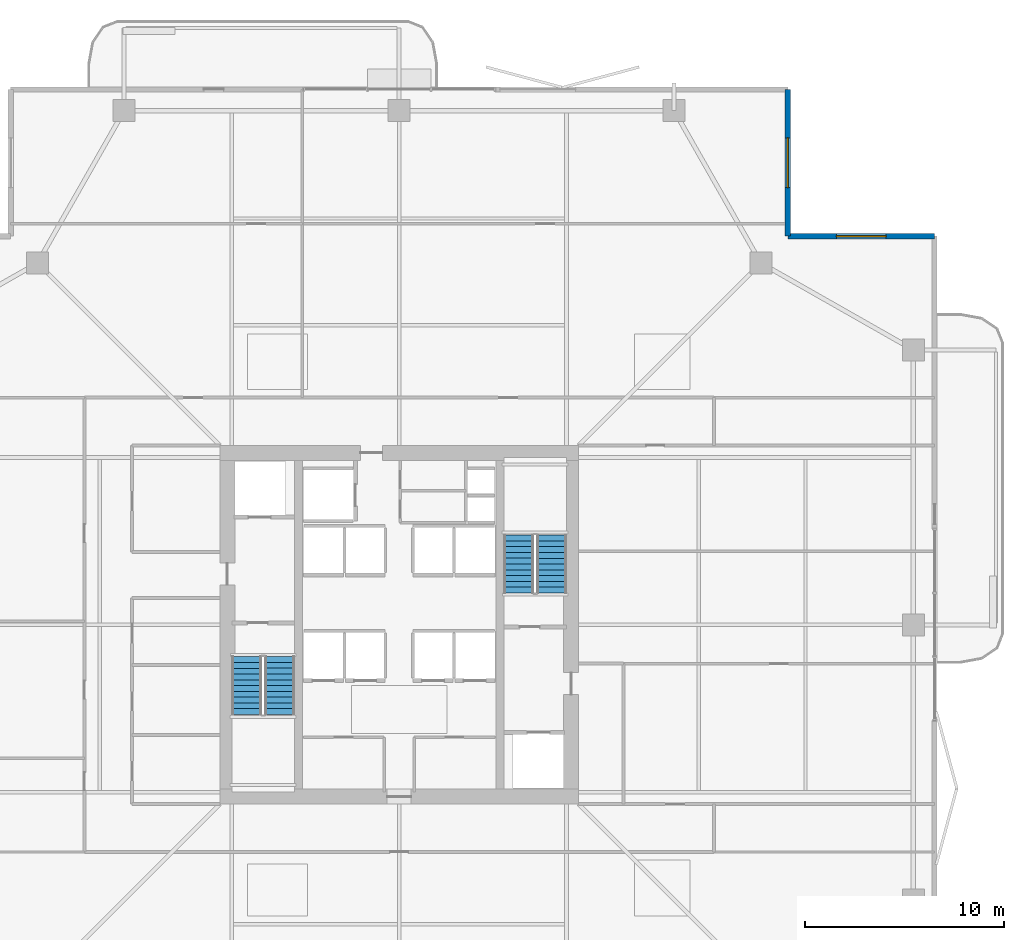
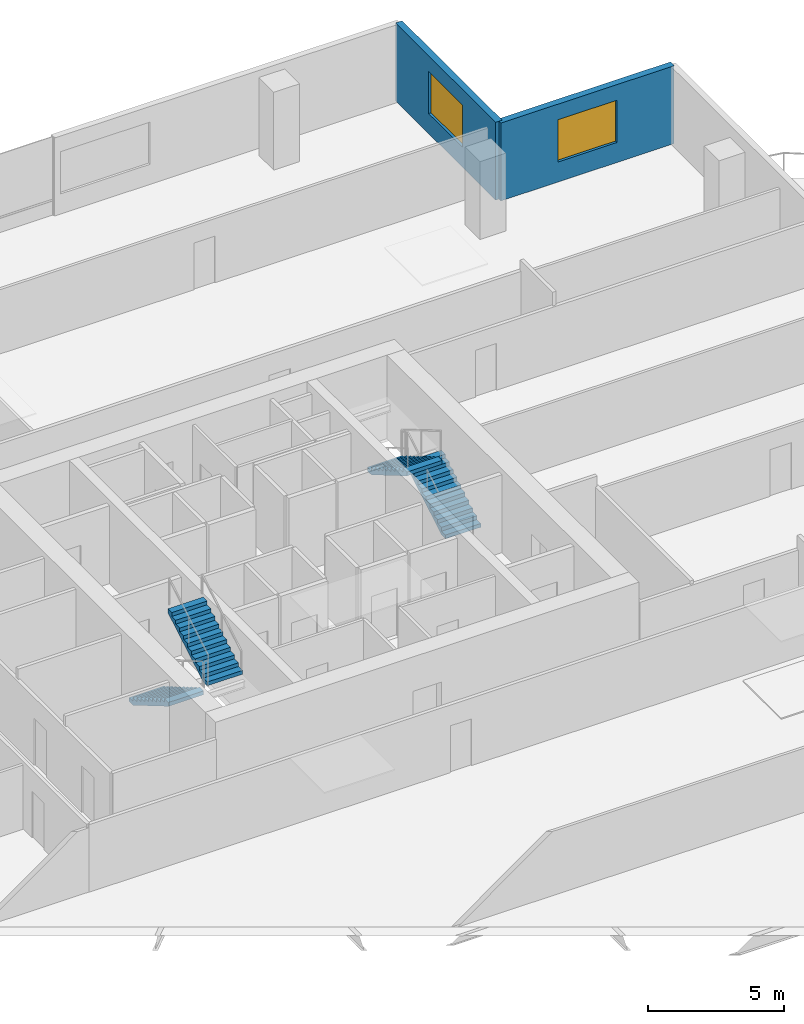
# One storey, part 20 of 24: 4 stair flights, 2 walls, 2 windows, 2 openings, 2 elements without a shape of their own.
"""IFC4 building model written with IfcOpenShell, lengths in metres."""

import ifcopenshell
import ifcopenshell.guid

model = None  # the IFC model being written
_history = None  # IfcOwnerHistory: only IFC2X3 demands one
_inside = {}  # id of a spatial element -> (the spatial element, [elements in it])
_under = {}  # id of a project, library or spatial element -> (it, [spatial elements below it])
_declared = {}  # id of a project -> (the project, [libraries it declares])
_typed = {}  # id of a type object -> (the type object, [elements of that type])
_made_of = {}  # id of a material, layer set ... -> (it, [elements and type objects made of it])


def new_model(schema):
    """Start an empty IFC model of exactly this schema.

    Asked for "IFC4X3", IfcOpenShell would pick the latest addendum, in which some entities
    have other attributes; the version numbers below select the first issue.
    IFC2X3 requires an IfcOwnerHistory on every rooted entity: one is made here for all.
    """
    global model, _history
    if schema == "IFC4X3":
        model = ifcopenshell.file(schema_version=(4, 3, 0, 0))
    else:
        model = ifcopenshell.file(schema=schema)
    _inside.clear()
    _under.clear()
    _declared.clear()
    _typed.clear()
    _made_of.clear()
    _history = None
    if model.schema == "IFC2X3":
        org = make("IfcOrganization", Name="unknown")
        user = make(
            "IfcPersonAndOrganization",
            ThePerson=make("IfcPerson", FamilyName="unknown"),
            TheOrganization=org,
        )
        app = make(
            "IfcApplication",
            ApplicationDeveloper=org,
            Version="unknown",
            ApplicationFullName="unknown",
            ApplicationIdentifier="unknown",
        )
        _history = make(
            "IfcOwnerHistory",
            OwningUser=user,
            OwningApplication=app,
            ChangeAction="ADDED",
            CreationDate=0,
        )
    return model


def make(cls, **values):
    """One entity of the class cls with the attributes given. An attribute that is None is left unset."""
    return model.create_entity(
        cls, **{name: value for name, value in values.items() if value is not None}
    )


def rooted(cls, **values):
    """An entity with a GlobalId (a new one), such as an element, a storey or a relation."""
    return make(cls, GlobalId=ifcopenshell.guid.new(), OwnerHistory=_history, **values)


def si_unit(unit_type, name, prefix=None):
    """IfcSIUnit, for example si_unit("LENGTHUNIT", "METRE", prefix="MILLI")."""
    return make("IfcSIUnit", UnitType=unit_type, Prefix=prefix, Name=name)


def assignment(units):
    """IfcUnitAssignment: the units of a project."""
    return None if units is None else make("IfcUnitAssignment", Units=units)


def point(xyz):
    """IfcCartesianPoint."""
    return None if xyz is None else make("IfcCartesianPoint", Coordinates=xyz)


def direction(xyz):
    """IfcDirection."""
    return None if xyz is None else make("IfcDirection", DirectionRatios=xyz)


def frame(location, z_axis=None, x_axis=None):
    """IfcAxis2Placement3D, a coordinate frame: its origin and axes. An axis left out is left unset."""
    return make(
        "IfcAxis2Placement3D",
        Location=point(location),
        Axis=direction(z_axis),
        RefDirection=direction(x_axis),
    )


def frame_2d(location, x_axis=None):
    """IfcAxis2Placement2D, a coordinate frame in the plane: its origin and x axis."""
    return make(
        "IfcAxis2Placement2D", Location=point(location), RefDirection=direction(x_axis)
    )


def origin():
    """The frame at (0, 0, 0) with its axes left unset."""
    return frame((0.0, 0.0, 0.0))


def place(relative_to, where):
    """IfcLocalPlacement: puts the frame where relative to a parent placement (None: the world)."""
    return make(
        "IfcLocalPlacement", PlacementRelTo=relative_to, RelativePlacement=where
    )


def context(
    kind, dimensions, precision=None, world=None, true_north=None, identifier=None
):
    """IfcGeometricRepresentationContext, for example the 3D "Model" context."""
    return make(
        "IfcGeometricRepresentationContext",
        ContextIdentifier=identifier,
        ContextType=kind,
        CoordinateSpaceDimension=dimensions,
        Precision=precision,
        WorldCoordinateSystem=world,
        TrueNorth=true_north,
    )


def subcontext(parent, identifier, kind, view, scale=None):
    """IfcGeometricRepresentationSubContext, for example "Body" below "Model"."""
    return make(
        "IfcGeometricRepresentationSubContext",
        ContextIdentifier=identifier,
        ContextType=kind,
        ParentContext=parent,
        TargetScale=scale,
        TargetView=view,
    )


def project(units=None, contexts=None):
    """IfcProject with its units and contexts."""
    return rooted(
        "IfcProject",
        Name="project",
        RepresentationContexts=contexts,
        UnitsInContext=assignment(units),
    )


def spatial(cls, under=None, at=None, **own):
    """A site, building, storey or space (cls), placed at a placement, below another one or the project."""
    s = rooted(cls, ObjectPlacement=at, **own)
    if under is not None:
        _under.setdefault(under.id(), (under, []))[1].append(s)
    return s


def polyline(points):
    """IfcPolyline through the points."""
    return make("IfcPolyline", Points=[point(p) for p in points])


def profile(cls, at=None, kind="AREA", **sizes):
    """A parametric profile (cls). Its sizes go by their IFC names, for example OverallWidth=200.0."""
    return make(cls, ProfileType=kind, Position=at, **sizes)


def rectangle(**sizes):
    """IfcRectangleProfileDef."""
    return profile("IfcRectangleProfileDef", **sizes)


def outline(outer, holes=None, kind="AREA"):
    """IfcArbitraryClosedProfileDef: a profile drawn as a closed curve; with holes, ...WithVoids."""
    if holes is None:
        return make("IfcArbitraryClosedProfileDef", ProfileType=kind, OuterCurve=outer)
    return make(
        "IfcArbitraryProfileDefWithVoids",
        ProfileType=kind,
        OuterCurve=outer,
        InnerCurves=holes,
    )


def extrude(swept, where, along, depth):
    """IfcExtrudedAreaSolid: the profile swept, set in the frame where, extruded along a direction by depth."""
    return make(
        "IfcExtrudedAreaSolid",
        SweptArea=swept,
        Position=where,
        ExtrudedDirection=direction(along),
        Depth=depth,
    )


def shape(context_of_items, identifier, shape_type, items):
    """IfcShapeRepresentation: the items that make up one representation, for example the "Body"."""
    return make(
        "IfcShapeRepresentation",
        ContextOfItems=context_of_items,
        RepresentationIdentifier=identifier,
        RepresentationType=shape_type,
        Items=items,
    )


def material(Name=None, Category=None):
    """IfcMaterial."""
    return make("IfcMaterial", Name=Name, Category=Category)


def layer(
    of_material, thickness, ventilated=None, Name=None, Category=None, Priority=None
):
    """IfcMaterialLayer: one layer of a wall or slab, of a material (None: an air gap)."""
    return make(
        "IfcMaterialLayer",
        Material=of_material,
        LayerThickness=thickness,
        IsVentilated=ventilated,
        Name=Name,
        Category=Category,
        Priority=Priority,
    )


def layer_set(layers, Name=None):
    """IfcMaterialLayerSet."""
    return make("IfcMaterialLayerSet", MaterialLayers=layers, LayerSetName=Name)


def made_of(thing, what):
    """Note that an element or type object is made of a material, layer set ...; save() writes the relation."""
    if what is not None:
        _made_of.setdefault(what.id(), (what, []))[1].append(thing)
    return thing


def type_object(cls, material=None, **own):
    """A type object (cls), such as IfcWallType, which elements share."""
    return made_of(rooted(cls, **own), material)


def element(
    cls,
    number,
    at=None,
    inside=None,
    cuts=None,
    type_object=None,
    material=None,
    context=None,
    identifier="Body",
    shape_type=None,
    held_by="IfcProductDefinitionShape",
    body=None,
    shapes=None,
    **own,
):
    """One element of the class cls, such as IfcWall. Its Tag is "e" and its number.

    at: its placement. inside: the storey or other place that contains it. cuts: it is an
    opening in that element (IfcRelVoidsElement). A single representation is given by context,
    identifier, shape_type and body (its items); several are given by shapes. held_by: the class
    of the entity that holds the representations. save() writes the other relations.
    """
    e = rooted(cls, Tag="e%d" % number, ObjectPlacement=at, **own)
    if body is not None:
        shapes = [shape(context, identifier, shape_type, body)]
    if shapes is not None:
        e.Representation = make(held_by, Representations=shapes)
    if inside is not None:
        _inside.setdefault(inside.id(), (inside, []))[1].append(e)
    if cuts is not None:
        rooted(
            "IfcRelVoidsElement", RelatingBuildingElement=cuts, RelatedOpeningElement=e
        )
    if type_object is not None:
        _typed.setdefault(type_object.id(), (type_object, []))[1].append(e)
    return made_of(e, material)


def fill(opening, filler):
    """IfcRelFillsElement: the door or window that sits in an opening."""
    return rooted(
        "IfcRelFillsElement",
        RelatingOpeningElement=opening,
        RelatedBuildingElement=filler,
    )


def aggregate(whole, parts):
    """IfcRelAggregates: a whole, such as a stair, and the parts it consists of."""
    return rooted("IfcRelAggregates", RelatingObject=whole, RelatedObjects=parts)


def save(model, path):
    """Write the relations noted so far, then the file.

    IfcRelAggregates (storeys below a building ...), IfcRelContainedInSpatialStructure (elements
    in a storey), IfcRelDefinesByType, IfcRelAssociatesMaterial and IfcRelDeclares: one each for
    every whole, place, type object, material and project.
    """
    for whole, parts in _under.values():
        aggregate(whole, parts)
    for where, things in _inside.values():
        rooted(
            "IfcRelContainedInSpatialStructure",
            RelatedElements=things,
            RelatingStructure=where,
        )
    for kind, things in _typed.values():
        rooted("IfcRelDefinesByType", RelatedObjects=things, RelatingType=kind)
    for what, things in _made_of.values():
        rooted("IfcRelAssociatesMaterial", RelatedObjects=things, RelatingMaterial=what)
    for by, libraries in _declared.values():
        rooted("IfcRelDeclares", RelatingContext=by, RelatedDefinitions=libraries)
    model.write(path)


model = new_model("IFC4")

# Units and contexts
model_context = context("Model", 3, precision=1e-05, world=origin(), true_north=direction((0.0, 1.0)))
body_context = subcontext(model_context, "Body", "Model", "MODEL_VIEW")
ifc_project = project(units=[si_unit("LENGTHUNIT", "METRE"), si_unit("AREAUNIT", "SQUARE_METRE"), si_unit("VOLUMEUNIT", "CUBIC_METRE"), si_unit("PLANEANGLEUNIT", "RADIAN"), si_unit("MASSUNIT", "GRAM", prefix="KILO")], contexts=[model_context])

# Site, building, storey
site_placement = place(None, origin())
site = spatial("IfcSite", under=ifc_project, at=site_placement, CompositionType="ELEMENT")
building_placement = place(site_placement, origin())
building = spatial("IfcBuilding", under=site, at=building_placement, Name="Belovzor Exchange Tower", CompositionType="ELEMENT")
storey_placement = place(building_placement, frame((0.0, 0.0, 222.449951171875)))
storey = spatial("IfcBuildingStorey", under=building, at=storey_placement, Name="L55", CompositionType="ELEMENT", Elevation=222.449951171875)

# Wall, opening, window
ifc_material_1 = material(Name="Precast concrete C40/50", Category="concrete")
ifc_layer = layer(ifc_material_1, 0.280029296875)
ifc_layer_set = layer_set([ifc_layer], Name="Precast concrete C40/50")
wall_type = type_object("IfcWallType", Name="Precast Concrete Notched Corner Frame Wall 280", PredefinedType="SOLIDWALL", material=ifc_layer_set)
wall_1_placement = place(storey_placement, frame((48.300048828125, 55.669921875, 0.0), z_axis=(0.0, 0.0, 1.0), x_axis=(0.0, -1.0, 0.0)))
wall_1 = element("IfcWall", 1, at=wall_1_placement, inside=storey, type_object=wall_type, Name="W-CRN280 Precast Concrete Notched Corner Frame Wall 280 L55", PredefinedType="SOLIDWALL", context=body_context, shape_type="SweptSolid", body=[
    extrude(rectangle(XDim=7.369873046875, YDim=0.280029296875, at=frame_2d((3.68505859375, 0.0))), origin(), (0.0, 0.0, 1.0), 3.5),
])
opening_1_placement = place(wall_1_placement, frame((2.43505859375, 0.0, 0.89990234375)))
opening_1 = element("IfcOpeningElement", 2, at=opening_1_placement, cuts=wall_1, Name="Opening WN-CRN250", PredefinedType="OPENING", context=body_context, shape_type="SweptSolid", body=[
    extrude(rectangle(XDim=2.5, YDim=1.89990234375, at=frame_2d((1.25, 0.949951171875))), frame((0.0, 0.14990234375, 0.0), z_axis=(0.0, -1.0, 0.0), x_axis=(1.0, 0.0, 0.0)), (0.0, 0.0, 1.0), 0.300048828125),
])
ifc_material_2 = material(Name="Thermally Broken Aluminium and Triple Glazing", Category="aluminium")
window_type = type_object("IfcWindowType", Name="Streamline Moderne Corner Wrap Ribbon Window 2500x1900", PartitioningType="SINGLE_PANEL", PredefinedType="WINDOW", material=ifc_material_2)
window_1_placement = place(opening_1_placement, origin())
window_1 = element("IfcWindow", 3, at=window_1_placement, inside=storey, type_object=window_type, Name="WN-CRN250 Streamline Moderne Corner Wrap Ribbon Window 2500x1900", OverallHeight=1.89990234375, OverallWidth=2.5, PartitioningType="SINGLE_PANEL", PredefinedType="WINDOW", context=body_context, shape_type="SweptSolid", body=[
    extrude(rectangle(XDim=2.5, YDim=1.89990234375, at=frame_2d((1.25, 0.949951171875))), frame((0.0, 0.030029296875, 0.0), z_axis=(0.0, -1.0, 0.0), x_axis=(1.0, 0.0, 0.0)), (0.0, 0.0, 1.0), 0.06005859375),
])
fill(opening_1, window_1)

wall_2_placement = place(storey_placement, frame((48.300048828125, 48.300048828125, 0.0), z_axis=(0.0, 0.0, 1.0), x_axis=(1.0, 0.0, 0.0)))
wall_2 = element("IfcWall", 4, at=wall_2_placement, inside=storey, type_object=wall_type, Name="W-CRN280 Precast Concrete Notched Corner Frame Wall 280 L55", PredefinedType="SOLIDWALL", context=body_context, shape_type="SweptSolid", body=[
    extrude(rectangle(XDim=7.369873046875, YDim=0.280029296875, at=frame_2d((3.68505859375, 0.0))), origin(), (0.0, 0.0, 1.0), 3.5),
])
opening_2_placement = place(wall_2_placement, frame((2.43505859375, 0.0, 0.89990234375)))
opening_2 = element("IfcOpeningElement", 5, at=opening_2_placement, cuts=wall_2, Name="Opening WN-CRN250", PredefinedType="OPENING", context=body_context, shape_type="SweptSolid", body=[
    extrude(rectangle(XDim=2.5, YDim=1.89990234375, at=frame_2d((1.25, 0.949951171875))), frame((0.0, 0.14990234375, 0.0), z_axis=(0.0, -1.0, 0.0), x_axis=(1.0, 0.0, 0.0)), (0.0, 0.0, 1.0), 0.300048828125),
])
window_2_placement = place(opening_2_placement, origin())
window_2 = element("IfcWindow", 6, at=window_2_placement, inside=storey, type_object=window_type, Name="WN-CRN250 Streamline Moderne Corner Wrap Ribbon Window 2500x1900", OverallHeight=1.89990234375, OverallWidth=2.5, PartitioningType="SINGLE_PANEL", PredefinedType="WINDOW", context=body_context, shape_type="SweptSolid", body=[
    extrude(rectangle(XDim=2.5, YDim=1.89990234375, at=frame_2d((1.25, 0.949951171875))), frame((0.0, 0.030029296875, 0.0), z_axis=(0.0, -1.0, 0.0), x_axis=(1.0, 0.0, 0.0)), (0.0, 0.0, 1.0), 0.06005859375),
])
fill(opening_2, window_2)

# Stair, stair flights
ifc_material_3 = material(Name="Concrete C40/50", Category="concrete")
stair_type = type_object("IfcStairType", Name="Reinforced Concrete Dogleg Escape Stair 1350", PredefinedType="HALF_TURN_STAIR", material=ifc_material_3)
stair_1_placement = place(storey_placement, origin())
stair_1 = element("IfcStair", 7, at=stair_1_placement, inside=storey, type_object=stair_type, Name="L55 ST-1", PredefinedType="HALF_TURN_STAIR")
ifc_material_4 = material(Name="Concrete C40/50", Category="concrete")
stair_flight_type = type_object("IfcStairFlightType", Name="Reinforced Concrete Stair Flight 1350", PredefinedType="STRAIGHT", material=ifc_material_4)
stair_flight_1_placement = place(storey_placement, frame((21.14990234375, 27.199951171875, 0.0), z_axis=(0.0, 0.0, 1.0), x_axis=(0.0, -1.0, 0.0)))
stair_flight_1 = element("IfcStairFlight", 8, at=stair_flight_1_placement, type_object=stair_flight_type, Name="ST-1 flight 1", NumberOfRisers=11, NumberOfTreads=10, PredefinedType="STRAIGHT", RiserHeight=0.170454545, TreadLength=0.29, context=body_context, shape_type="SweptSolid", body=[
    extrude(outline(polyline([(0.0, 0.0), (0.0, 0.17041015625), (0.2900390625, 0.17041015625), (0.2900390625, 0.3408203125), (0.580078125, 0.3408203125), (0.580078125, 0.511474609375), (0.8701171875, 0.511474609375), (0.8701171875, 0.681884765625), (1.159912109375, 0.681884765625), (1.159912109375, 0.852294921875), (1.449951171875, 0.852294921875), (1.449951171875, 1.022705078125), (1.739990234375, 1.022705078125), (1.739990234375, 1.193115234375), (2.030029296875, 1.193115234375), (2.030029296875, 1.363525390625), (2.320068359375, 1.363525390625), (2.320068359375, 1.5341796875), (2.610107421875, 1.5341796875), (2.610107421875, 1.70458984375), (2.89990234375, 1.70458984375), (2.89990234375, 1.875), (2.89990234375, 1.53076171875), (0.2958984375, 0.0), (0.0, 0.0)])), frame((0.0, 0.75, 0.0), z_axis=(0.0, -1.0, 0.0), x_axis=(1.0, 0.0, 0.0)), (0.0, 0.0, 1.0), 1.5),
])
stair_flight_2_placement = place(storey_placement, frame((22.800048828125, 24.300048828125, 1.875), z_axis=(0.0, 0.0, 1.0), x_axis=(0.0, 1.0, 0.0)))
stair_flight_2 = element("IfcStairFlight", 9, at=stair_flight_2_placement, type_object=stair_flight_type, Name="ST-1 flight 2", NumberOfRisers=11, NumberOfTreads=10, PredefinedType="STRAIGHT", RiserHeight=0.170454545, TreadLength=0.29, context=body_context, shape_type="SweptSolid", body=[
    extrude(outline(polyline([(0.0, 0.0), (0.0, 0.17041015625), (0.2900390625, 0.17041015625), (0.2900390625, 0.3408203125), (0.580078125, 0.3408203125), (0.580078125, 0.511474609375), (0.8701171875, 0.511474609375), (0.8701171875, 0.681884765625), (1.159912109375, 0.681884765625), (1.159912109375, 0.852294921875), (1.449951171875, 0.852294921875), (1.449951171875, 1.022705078125), (1.739990234375, 1.022705078125), (1.739990234375, 1.193115234375), (2.030029296875, 1.193115234375), (2.030029296875, 1.363525390625), (2.320068359375, 1.363525390625), (2.320068359375, 1.5341796875), (2.610107421875, 1.5341796875), (2.610107421875, 1.70458984375), (2.89990234375, 1.70458984375), (2.89990234375, 1.875), (2.89990234375, 1.53076171875), (0.2958984375, 0.0), (0.0, 0.0)])), frame((0.0, 0.75, 0.0), z_axis=(0.0, -1.0, 0.0), x_axis=(1.0, 0.0, 0.0)), (0.0, 0.0, 1.0), 1.5),
])
aggregate(stair_1, [stair_flight_1, stair_flight_2])

stair_2_placement = place(storey_placement, origin())
stair_2 = element("IfcStair", 10, at=stair_2_placement, inside=storey, type_object=stair_type, Name="L55 ST-2", PredefinedType="HALF_TURN_STAIR")
stair_flight_3_placement = place(storey_placement, frame((36.449951171875, 30.39990234375, 0.0), z_axis=(0.0, 0.0, 1.0), x_axis=(0.0, 1.0, 0.0)))
stair_flight_3 = element("IfcStairFlight", 11, at=stair_flight_3_placement, type_object=stair_flight_type, Name="ST-2 flight 1", NumberOfRisers=11, NumberOfTreads=10, PredefinedType="STRAIGHT", RiserHeight=0.170454545, TreadLength=0.29, context=body_context, shape_type="SweptSolid", body=[
    extrude(outline(polyline([(0.0, 0.0), (0.0, 0.17041015625), (0.2900390625, 0.17041015625), (0.2900390625, 0.3408203125), (0.580078125, 0.3408203125), (0.580078125, 0.511474609375), (0.8701171875, 0.511474609375), (0.8701171875, 0.681884765625), (1.159912109375, 0.681884765625), (1.159912109375, 0.852294921875), (1.449951171875, 0.852294921875), (1.449951171875, 1.022705078125), (1.739990234375, 1.022705078125), (1.739990234375, 1.193115234375), (2.030029296875, 1.193115234375), (2.030029296875, 1.363525390625), (2.320068359375, 1.363525390625), (2.320068359375, 1.5341796875), (2.610107421875, 1.5341796875), (2.610107421875, 1.70458984375), (2.89990234375, 1.70458984375), (2.89990234375, 1.875), (2.89990234375, 1.53076171875), (0.2958984375, 0.0), (0.0, 0.0)])), frame((0.0, 0.75, 0.0), z_axis=(0.0, -1.0, 0.0), x_axis=(1.0, 0.0, 0.0)), (0.0, 0.0, 1.0), 1.5),
])
stair_flight_4_placement = place(storey_placement, frame((34.800048828125, 33.300048828125, 1.875), z_axis=(0.0, 0.0, 1.0), x_axis=(0.0, -1.0, 0.0)))
stair_flight_4 = element("IfcStairFlight", 12, at=stair_flight_4_placement, type_object=stair_flight_type, Name="ST-2 flight 2", NumberOfRisers=11, NumberOfTreads=10, PredefinedType="STRAIGHT", RiserHeight=0.170454545, TreadLength=0.29, context=body_context, shape_type="SweptSolid", body=[
    extrude(outline(polyline([(0.0, 0.0), (0.0, 0.17041015625), (0.2900390625, 0.17041015625), (0.2900390625, 0.3408203125), (0.580078125, 0.3408203125), (0.580078125, 0.511474609375), (0.8701171875, 0.511474609375), (0.8701171875, 0.681884765625), (1.159912109375, 0.681884765625), (1.159912109375, 0.852294921875), (1.449951171875, 0.852294921875), (1.449951171875, 1.022705078125), (1.739990234375, 1.022705078125), (1.739990234375, 1.193115234375), (2.030029296875, 1.193115234375), (2.030029296875, 1.363525390625), (2.320068359375, 1.363525390625), (2.320068359375, 1.5341796875), (2.610107421875, 1.5341796875), (2.610107421875, 1.70458984375), (2.89990234375, 1.70458984375), (2.89990234375, 1.875), (2.89990234375, 1.53076171875), (0.2958984375, 0.0), (0.0, 0.0)])), frame((0.0, 0.75, 0.0), z_axis=(0.0, -1.0, 0.0), x_axis=(1.0, 0.0, 0.0)), (0.0, 0.0, 1.0), 1.5),
])
aggregate(stair_2, [stair_flight_3, stair_flight_4])

save(model, "model.ifc")
